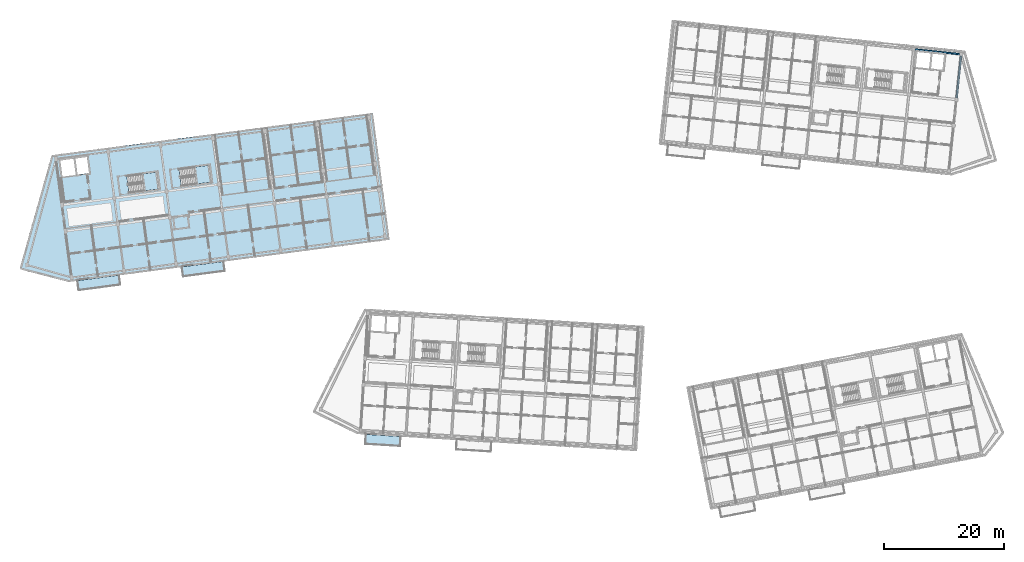
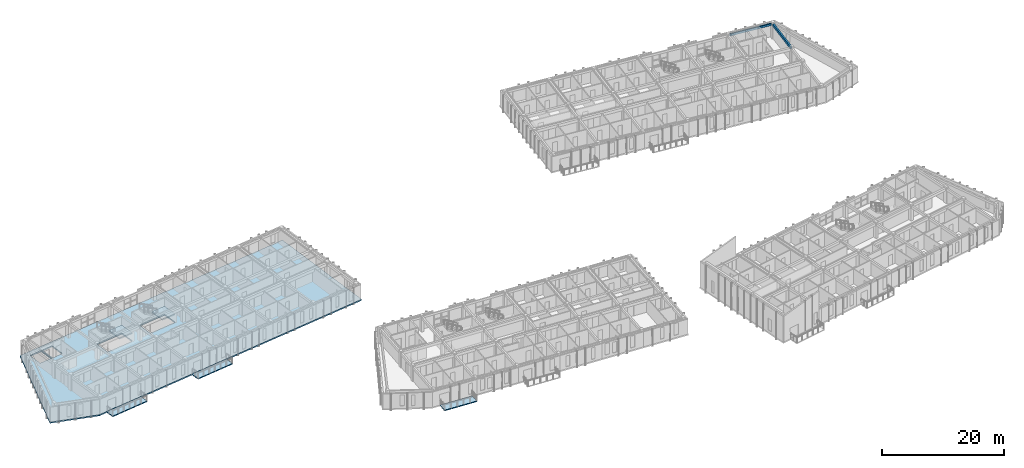
# One storey, part 15 of 65: 6 slabs, 2 beams, 2 elements without a shape of their own.
"""IFC4 building model written with IfcOpenShell, lengths in metres."""

from ifc_helpers import new_model, si_unit, direction, frame, origin, origin_2d, place, context, subcontext, project, spatial, polyline, rectangle, outline, extrude, material, layer, layer_set, material_profile, profile_set, type_object, element, aggregate, save


model = new_model("IFC4")

# Units and contexts
model_context = context("Model", 3, precision=1e-05, world=origin(), true_north=direction((0.0, 1.0)))
body_context = subcontext(model_context, "Body", "Model", "MODEL_VIEW")
ifc_project = project(units=[si_unit("LENGTHUNIT", "METRE"), si_unit("AREAUNIT", "SQUARE_METRE"), si_unit("VOLUMEUNIT", "CUBIC_METRE"), si_unit("PLANEANGLEUNIT", "RADIAN"), si_unit("MASSUNIT", "GRAM", prefix="KILO")], contexts=[model_context])

# Site, building, storey
site_placement = place(None, origin())
site = spatial("IfcSite", under=ifc_project, at=site_placement, CompositionType="ELEMENT")
building_placement = place(site_placement, origin())
building = spatial("IfcBuilding", under=site, at=building_placement, Name="Kestramere Prow Commons", CompositionType="ELEMENT")
storey_placement = place(building_placement, frame((0.0, 0.0, 21.39990234375)))
storey = spatial("IfcBuildingStorey", under=building, at=storey_placement, Name="L06", CompositionType="ELEMENT", Elevation=21.39990234375)

# Beams
ifc_material_1 = material(Name="Precast concrete C40/50", Category="concrete")
ifc_material_profile_1 = material_profile(ifc_material_1, rectangle(XDim=0.300048828125, YDim=0.5, at=origin_2d()), Name="PC-BM 300x500")
ifc_profile_set_1 = profile_set([ifc_material_profile_1], Name="Precast concrete C40/50")
beam_type_1 = type_object("IfcBeamType", Name="BM-TIE-01 PC-BM 300x500", PredefinedType="BEAM", material=ifc_profile_set_1)
beam_1_placement = place(storey_placement, frame((159.02001953125, 101.990478515625, 2.75), z_axis=(0.104549582151, 0.994519675458, 0.0), x_axis=(-0.994519675458, 0.104549582151, 0.0)))
element("IfcBeam", 1, at=beam_1_placement, inside=storey, type_object=beam_type_1, Name="Block B L06 Transverse Beam 7-3", PredefinedType="BEAM", context=body_context, shape_type="SweptSolid", body=[
    extrude(rectangle(XDim=0.300048828125, YDim=0.5, at=origin_2d()), origin(), (0.0, 0.0, 1.0), 7.0498046875),
])
ifc_material_profile_2 = material_profile(ifc_material_1, rectangle(XDim=0.25, YDim=0.39990234375, at=origin_2d()), Name="PC-SP 250x400")
ifc_profile_set_2 = profile_set([ifc_material_profile_2], Name="Precast concrete C40/50")
beam_type_2 = type_object("IfcBeamType", Name="SP-EXT-01 PC-SP 250x400", PredefinedType="SPANDREL", material=ifc_profile_set_2)
beam_2_placement = place(storey_placement, frame((152.10302734375, 110.082763671875, 2.800048828125), z_axis=(0.994520884665, -0.104538079019, 0.0), x_axis=(0.104538079019, 0.994520884665, 0.0)))
element("IfcBeam", 2, at=beam_2_placement, inside=storey, type_object=beam_type_2, Name="Block B L06 Longitudinal Beam 4-6", PredefinedType="SPANDREL", context=body_context, shape_type="SweptSolid", body=[
    extrude(rectangle(XDim=0.25, YDim=0.39990234375, at=origin_2d()), origin(), (0.0, 0.0, 1.0), 7.449951171875),
])

# Slabs
ifc_layer_1 = layer(ifc_material_1, 0.179931640625)
ifc_layer_set_1 = layer_set([ifc_layer_1], Name="Precast concrete C40/50")
slab_type_1 = type_object("IfcSlabType", Name="SL-BALC-180", PredefinedType="FLOOR", material=ifc_layer_set_1)
slab_1_placement = place(storey_placement, frame((0.0, 0.0, -0.179931640625)))
element("IfcSlab", 3, at=slab_1_placement, inside=storey, type_object=slab_type_1, Name="Block A L06 Apartment Balcony Slab 1", PredefinedType="FLOOR", context=body_context, shape_type="SweptSolid", body=[
    extrude(outline(polyline([(12.343017578125, 69.83056640625), (19.382080078125, 70.75732421875), (19.166748046875, 72.393310546875), (12.127685546875, 71.466552734375), (12.343017578125, 69.83056640625)])), origin(), (0.0, 0.0, 1.0), 0.179931640625),
])
slab_2_placement = place(storey_placement, frame((0.0, 0.0, -0.179931640625)))
element("IfcSlab", 4, at=slab_2_placement, inside=storey, type_object=slab_type_1, Name="Block A L06 Apartment Balcony Slab 3", PredefinedType="FLOOR", context=body_context, shape_type="SweptSolid", body=[
    extrude(outline(polyline([(29.79248046875, 72.1279296875), (36.83154296875, 73.0546875), (36.6162109375, 74.6904296875), (29.576904296875, 73.763671875), (29.79248046875, 72.1279296875)])), origin(), (0.0, 0.0, 1.0), 0.179931640625),
])
slab_3_placement = place(storey_placement, frame((0.0, 0.0, -0.179931640625)))
element("IfcSlab", 5, at=slab_3_placement, inside=storey, type_object=slab_type_1, Name="Block C L06 Apartment Balcony Slab 1", PredefinedType="FLOOR", context=body_context, shape_type="SweptSolid", body=[
    extrude(outline(polyline([(60.2080078125, 44.15234375), (66.096923828125, 43.792236328125), (66.19775390625, 45.439208984375), (60.308837890625, 45.79931640625), (60.2080078125, 44.15234375)])), origin(), (0.0, 0.0, 1.0), 0.179931640625),
])
ifc_layer_2 = layer(ifc_material_1, 0.25)
ifc_layer_set_2 = layer_set([ifc_layer_2], Name="Precast concrete C40/50")
slab_type_2 = type_object("IfcSlabType", Name="SL-HC-250", PredefinedType="FLOOR", material=ifc_layer_set_2)
slab_4_placement = place(storey_placement, frame((0.0, 0.0, -0.25)))
element("IfcSlab", 6, at=slab_4_placement, inside=storey, type_object=slab_type_2, Name="Block A L06 Hollowcore Floor Slab", PredefinedType="FLOOR", context=body_context, shape_type="SweptSolid", body=[
    extrude(outline(polyline([(2.58203125, 73.48779296875), (10.640380859375, 71.270751953125), (64.277587890625, 78.332275390625), (61.497314453125, 99.449951171875), (7.860107421875, 92.388427734375), (2.58203125, 73.48779296875)]), holes=[polyline([(9.638427734375, 88.84033203125), (11.9189453125, 89.140380859375), (11.559814453125, 91.866943359375), (9.279541015625, 91.566650390625), (9.638427734375, 88.84033203125)]), polyline([(12.166748046875, 89.173095703125), (14.149658203125, 89.43408203125), (13.790771484375, 92.16064453125), (11.807861328125, 91.899658203125), (12.166748046875, 89.173095703125)]), polyline([(20.78857421875, 86.122314453125), (25.844970703125, 86.7880859375), (25.47314453125, 89.61376953125), (20.416748046875, 88.947998046875), (20.78857421875, 86.122314453125)]), polyline([(29.513427734375, 87.27099609375), (34.56982421875, 87.936767578125), (34.19775390625, 90.76220703125), (29.141357421875, 90.0966796875), (29.513427734375, 87.27099609375)])]), origin(), (0.0, 0.0, 1.0), 0.25),
])

# Stair, slab
ifc_material_2 = material(Name="Concrete C40/50", Category="concrete")
stair_type = type_object("IfcStairType", Name="ST-DOG-1350", PredefinedType="HALF_TURN_STAIR", material=ifc_material_2)
stair_1_placement = place(storey_placement, origin())
stair_1 = element("IfcStair", 7, at=stair_1_placement, inside=storey, type_object=stair_type, Name="L06 Block A Exit Stair 1", PredefinedType="HALF_TURN_STAIR")
ifc_layer_3 = layer(ifc_material_2, 0.199951171875)
ifc_layer_set_3 = layer_set([ifc_layer_3], Name="Concrete C40/50")
slab_type_3 = type_object("IfcSlabType", Name="SL-ST-LAND-200", PredefinedType="LANDING", material=ifc_layer_set_3)
slab_5_placement = place(storey_placement, frame((0.0, 0.0, 1.425048828125)))
slab_5 = element("IfcSlab", 8, at=slab_5_placement, type_object=slab_type_3, Name="ST-A1 landing 1", PredefinedType="LANDING", context=body_context, shape_type="SweptSolid", body=[
    extrude(outline(polyline([(23.287109375, 86.451416015625), (25.844970703125, 86.7880859375), (25.47314453125, 89.61376953125), (22.9150390625, 89.27685546875), (23.287109375, 86.451416015625)])), origin(), (0.0, 0.0, 1.0), 0.199951171875),
])
aggregate(stair_1, [slab_5])

stair_2_placement = place(storey_placement, origin())
stair_2 = element("IfcStair", 9, at=stair_2_placement, inside=storey, type_object=stair_type, Name="L06 Block A Exit Stair 2", PredefinedType="HALF_TURN_STAIR")
slab_6_placement = place(storey_placement, frame((0.0, 0.0, 1.425048828125)))
slab_6 = element("IfcSlab", 10, at=slab_6_placement, type_object=slab_type_3, Name="ST-A2 landing 1", PredefinedType="LANDING", context=body_context, shape_type="SweptSolid", body=[
    extrude(outline(polyline([(32.011962890625, 87.599853515625), (34.56982421875, 87.936767578125), (34.19775390625, 90.76220703125), (31.639892578125, 90.425537109375), (32.011962890625, 87.599853515625)])), origin(), (0.0, 0.0, 1.0), 0.199951171875),
])
aggregate(stair_2, [slab_6])

save(model, "model.ifc")
